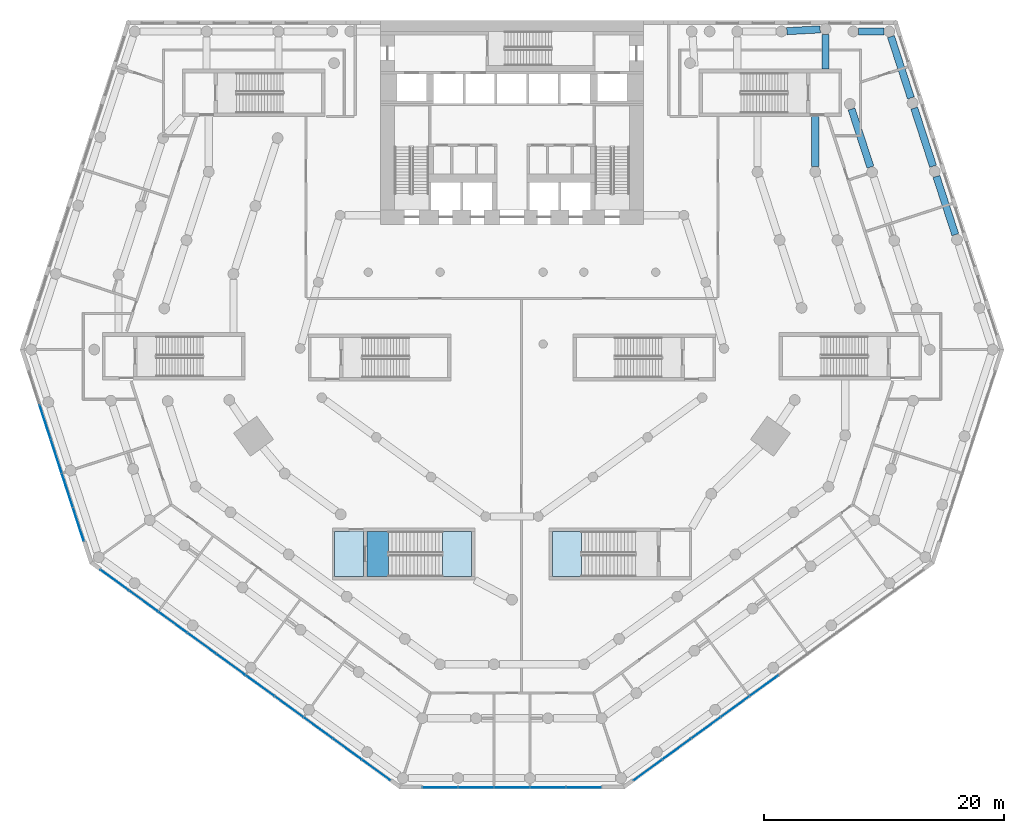
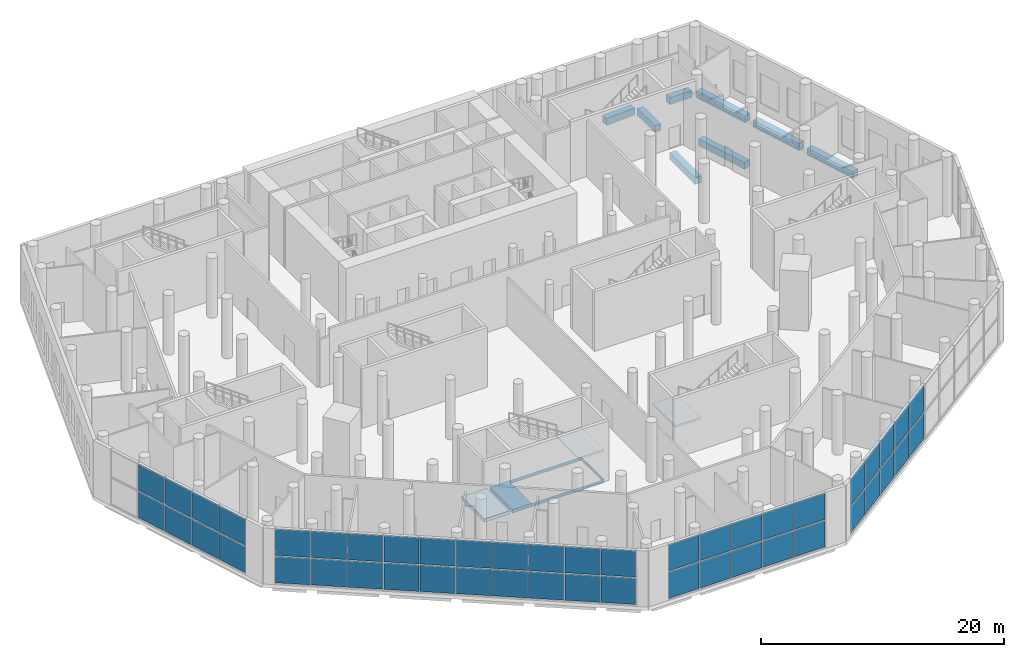
# One storey, part 9 of 23: 48 plates, 8 beams, 4 slabs, 6 elements without a shape of their own.
"""IFC4 building model written with IfcOpenShell, lengths in metres."""

import ifcopenshell
import ifcopenshell.guid

model = None  # the IFC model being written
_history = None  # IfcOwnerHistory: only IFC2X3 demands one
_inside = {}  # id of a spatial element -> (the spatial element, [elements in it])
_under = {}  # id of a project, library or spatial element -> (it, [spatial elements below it])
_declared = {}  # id of a project -> (the project, [libraries it declares])
_typed = {}  # id of a type object -> (the type object, [elements of that type])
_made_of = {}  # id of a material, layer set ... -> (it, [elements and type objects made of it])


def new_model(schema):
    """Start an empty IFC model of exactly this schema.

    Asked for "IFC4X3", IfcOpenShell would pick the latest addendum, in which some entities
    have other attributes; the version numbers below select the first issue.
    IFC2X3 requires an IfcOwnerHistory on every rooted entity: one is made here for all.
    """
    global model, _history
    if schema == "IFC4X3":
        model = ifcopenshell.file(schema_version=(4, 3, 0, 0))
    else:
        model = ifcopenshell.file(schema=schema)
    _inside.clear()
    _under.clear()
    _declared.clear()
    _typed.clear()
    _made_of.clear()
    _history = None
    if model.schema == "IFC2X3":
        org = make("IfcOrganization", Name="unknown")
        user = make(
            "IfcPersonAndOrganization",
            ThePerson=make("IfcPerson", FamilyName="unknown"),
            TheOrganization=org,
        )
        app = make(
            "IfcApplication",
            ApplicationDeveloper=org,
            Version="unknown",
            ApplicationFullName="unknown",
            ApplicationIdentifier="unknown",
        )
        _history = make(
            "IfcOwnerHistory",
            OwningUser=user,
            OwningApplication=app,
            ChangeAction="ADDED",
            CreationDate=0,
        )
    return model


def make(cls, **values):
    """One entity of the class cls with the attributes given. An attribute that is None is left unset."""
    return model.create_entity(
        cls, **{name: value for name, value in values.items() if value is not None}
    )


def rooted(cls, **values):
    """An entity with a GlobalId (a new one), such as an element, a storey or a relation."""
    return make(cls, GlobalId=ifcopenshell.guid.new(), OwnerHistory=_history, **values)


def si_unit(unit_type, name, prefix=None):
    """IfcSIUnit, for example si_unit("LENGTHUNIT", "METRE", prefix="MILLI")."""
    return make("IfcSIUnit", UnitType=unit_type, Prefix=prefix, Name=name)


def assignment(units):
    """IfcUnitAssignment: the units of a project."""
    return None if units is None else make("IfcUnitAssignment", Units=units)


def point(xyz):
    """IfcCartesianPoint."""
    return None if xyz is None else make("IfcCartesianPoint", Coordinates=xyz)


def direction(xyz):
    """IfcDirection."""
    return None if xyz is None else make("IfcDirection", DirectionRatios=xyz)


def frame(location, z_axis=None, x_axis=None):
    """IfcAxis2Placement3D, a coordinate frame: its origin and axes. An axis left out is left unset."""
    return make(
        "IfcAxis2Placement3D",
        Location=point(location),
        Axis=direction(z_axis),
        RefDirection=direction(x_axis),
    )


def frame_2d(location, x_axis=None):
    """IfcAxis2Placement2D, a coordinate frame in the plane: its origin and x axis."""
    return make(
        "IfcAxis2Placement2D", Location=point(location), RefDirection=direction(x_axis)
    )


def origin():
    """The frame at (0, 0, 0) with its axes left unset."""
    return frame((0.0, 0.0, 0.0))


def origin_2d():
    """The frame at (0, 0) in the plane with its x axis left unset."""
    return frame_2d((0.0, 0.0))


def place(relative_to, where):
    """IfcLocalPlacement: puts the frame where relative to a parent placement (None: the world)."""
    return make(
        "IfcLocalPlacement", PlacementRelTo=relative_to, RelativePlacement=where
    )


def context(
    kind, dimensions, precision=None, world=None, true_north=None, identifier=None
):
    """IfcGeometricRepresentationContext, for example the 3D "Model" context."""
    return make(
        "IfcGeometricRepresentationContext",
        ContextIdentifier=identifier,
        ContextType=kind,
        CoordinateSpaceDimension=dimensions,
        Precision=precision,
        WorldCoordinateSystem=world,
        TrueNorth=true_north,
    )


def subcontext(parent, identifier, kind, view, scale=None):
    """IfcGeometricRepresentationSubContext, for example "Body" below "Model"."""
    return make(
        "IfcGeometricRepresentationSubContext",
        ContextIdentifier=identifier,
        ContextType=kind,
        ParentContext=parent,
        TargetScale=scale,
        TargetView=view,
    )


def project(units=None, contexts=None):
    """IfcProject with its units and contexts."""
    return rooted(
        "IfcProject",
        Name="project",
        RepresentationContexts=contexts,
        UnitsInContext=assignment(units),
    )


def spatial(cls, under=None, at=None, **own):
    """A site, building, storey or space (cls), placed at a placement, below another one or the project."""
    s = rooted(cls, ObjectPlacement=at, **own)
    if under is not None:
        _under.setdefault(under.id(), (under, []))[1].append(s)
    return s


def polyline(points):
    """IfcPolyline through the points."""
    return make("IfcPolyline", Points=[point(p) for p in points])


def profile(cls, at=None, kind="AREA", **sizes):
    """A parametric profile (cls). Its sizes go by their IFC names, for example OverallWidth=200.0."""
    return make(cls, ProfileType=kind, Position=at, **sizes)


def rectangle(**sizes):
    """IfcRectangleProfileDef."""
    return profile("IfcRectangleProfileDef", **sizes)


def outline(outer, holes=None, kind="AREA"):
    """IfcArbitraryClosedProfileDef: a profile drawn as a closed curve; with holes, ...WithVoids."""
    if holes is None:
        return make("IfcArbitraryClosedProfileDef", ProfileType=kind, OuterCurve=outer)
    return make(
        "IfcArbitraryProfileDefWithVoids",
        ProfileType=kind,
        OuterCurve=outer,
        InnerCurves=holes,
    )


def extrude(swept, where, along, depth):
    """IfcExtrudedAreaSolid: the profile swept, set in the frame where, extruded along a direction by depth."""
    return make(
        "IfcExtrudedAreaSolid",
        SweptArea=swept,
        Position=where,
        ExtrudedDirection=direction(along),
        Depth=depth,
    )


def shape(context_of_items, identifier, shape_type, items):
    """IfcShapeRepresentation: the items that make up one representation, for example the "Body"."""
    return make(
        "IfcShapeRepresentation",
        ContextOfItems=context_of_items,
        RepresentationIdentifier=identifier,
        RepresentationType=shape_type,
        Items=items,
    )


def material(Name=None, Category=None):
    """IfcMaterial."""
    return make("IfcMaterial", Name=Name, Category=Category)


def layer(
    of_material, thickness, ventilated=None, Name=None, Category=None, Priority=None
):
    """IfcMaterialLayer: one layer of a wall or slab, of a material (None: an air gap)."""
    return make(
        "IfcMaterialLayer",
        Material=of_material,
        LayerThickness=thickness,
        IsVentilated=ventilated,
        Name=Name,
        Category=Category,
        Priority=Priority,
    )


def layer_set(layers, Name=None):
    """IfcMaterialLayerSet."""
    return make("IfcMaterialLayerSet", MaterialLayers=layers, LayerSetName=Name)


def material_profile(
    of_material, cross_section, Name=None, Category=None, Priority=None
):
    """IfcMaterialProfile: a cross section and its material."""
    return make(
        "IfcMaterialProfile",
        Name=Name,
        Material=of_material,
        Profile=cross_section,
        Priority=Priority,
        Category=Category,
    )


def profile_set(profiles, Name=None, composite=None):
    """IfcMaterialProfileSet."""
    return make(
        "IfcMaterialProfileSet",
        Name=Name,
        MaterialProfiles=profiles,
        CompositeProfile=composite,
    )


def made_of(thing, what):
    """Note that an element or type object is made of a material, layer set ...; save() writes the relation."""
    if what is not None:
        _made_of.setdefault(what.id(), (what, []))[1].append(thing)
    return thing


def type_object(cls, material=None, **own):
    """A type object (cls), such as IfcWallType, which elements share."""
    return made_of(rooted(cls, **own), material)


def element(
    cls,
    number,
    at=None,
    inside=None,
    cuts=None,
    type_object=None,
    material=None,
    context=None,
    identifier="Body",
    shape_type=None,
    held_by="IfcProductDefinitionShape",
    body=None,
    shapes=None,
    **own,
):
    """One element of the class cls, such as IfcWall. Its Tag is "e" and its number.

    at: its placement. inside: the storey or other place that contains it. cuts: it is an
    opening in that element (IfcRelVoidsElement). A single representation is given by context,
    identifier, shape_type and body (its items); several are given by shapes. held_by: the class
    of the entity that holds the representations. save() writes the other relations.
    """
    e = rooted(cls, Tag="e%d" % number, ObjectPlacement=at, **own)
    if body is not None:
        shapes = [shape(context, identifier, shape_type, body)]
    if shapes is not None:
        e.Representation = make(held_by, Representations=shapes)
    if inside is not None:
        _inside.setdefault(inside.id(), (inside, []))[1].append(e)
    if cuts is not None:
        rooted(
            "IfcRelVoidsElement", RelatingBuildingElement=cuts, RelatedOpeningElement=e
        )
    if type_object is not None:
        _typed.setdefault(type_object.id(), (type_object, []))[1].append(e)
    return made_of(e, material)


def aggregate(whole, parts):
    """IfcRelAggregates: a whole, such as a stair, and the parts it consists of."""
    return rooted("IfcRelAggregates", RelatingObject=whole, RelatedObjects=parts)


def save(model, path):
    """Write the relations noted so far, then the file.

    IfcRelAggregates (storeys below a building ...), IfcRelContainedInSpatialStructure (elements
    in a storey), IfcRelDefinesByType, IfcRelAssociatesMaterial and IfcRelDeclares: one each for
    every whole, place, type object, material and project.
    """
    for whole, parts in _under.values():
        aggregate(whole, parts)
    for where, things in _inside.values():
        rooted(
            "IfcRelContainedInSpatialStructure",
            RelatedElements=things,
            RelatingStructure=where,
        )
    for kind, things in _typed.values():
        rooted("IfcRelDefinesByType", RelatedObjects=things, RelatingType=kind)
    for what, things in _made_of.values():
        rooted("IfcRelAssociatesMaterial", RelatedObjects=things, RelatingMaterial=what)
    for by, libraries in _declared.values():
        rooted("IfcRelDeclares", RelatingContext=by, RelatedDefinitions=libraries)
    model.write(path)


model = new_model("IFC4")

# Units and contexts
model_context = context("Model", 3, precision=1e-05, world=origin(), true_north=direction((0.0, 1.0)))
body_context = subcontext(model_context, "Body", "Model", "MODEL_VIEW")
ifc_project = project(units=[si_unit("LENGTHUNIT", "METRE"), si_unit("AREAUNIT", "SQUARE_METRE"), si_unit("VOLUMEUNIT", "CUBIC_METRE"), si_unit("PLANEANGLEUNIT", "RADIAN"), si_unit("MASSUNIT", "GRAM", prefix="KILO")], contexts=[model_context])

# Site, building, storey
site_placement = place(None, origin())
site = spatial("IfcSite", under=ifc_project, at=site_placement, CompositionType="ELEMENT")
building_placement = place(site_placement, origin())
building = spatial("IfcBuilding", under=site, at=building_placement, Name="White Candle Pilgrim Tower", CompositionType="ELEMENT")
storey_placement = place(building_placement, frame((0.0, 0.0, 9.0)))
storey = spatial("IfcBuildingStorey", under=building, at=storey_placement, Name="L01", CompositionType="ELEMENT", Elevation=9.0)

# Beams
ifc_material_1 = material(Name="Concrete C50/60", Category="concrete")
ifc_material_profile = material_profile(ifc_material_1, rectangle(XDim=0.60009765625, YDim=0.699951171875, at=origin_2d()), Name="RC-BM 600x700")
ifc_profile_set = profile_set([ifc_material_profile], Name="Concrete C50/60")
beam_type = type_object("IfcBeamType", Name="Spandrel beam RC-BM 600x700 C50/60", PredefinedType="BEAM", material=ifc_profile_set)
beam_1_placement = place(storey_placement, frame((107.013916015625, 70.139892578125, -0.699951171875), z_axis=(-0.309009217467, 0.951059043131, 0.0), x_axis=(-0.951059043131, -0.309009217467, 0.0)))
element("IfcBeam", 1, at=beam_1_placement, inside=storey, type_object=beam_type, Name="L01 spandrel beam A24", PredefinedType="BEAM", context=body_context, shape_type="SweptSolid", body=[
    extrude(rectangle(XDim=0.60009765625, YDim=0.699951171875, at=origin_2d()), origin(), (0.0, 0.0, 1.0), 5.099853515625),
])
beam_2_placement = place(storey_placement, frame((105.159912109375, 75.845703125, -0.699951171875), z_axis=(-0.308995149369, 0.95106361389, 0.0), x_axis=(-0.95106361389, -0.308995149369, 0.0)))
element("IfcBeam", 2, at=beam_2_placement, inside=storey, type_object=beam_type, Name="L01 spandrel beam A25", PredefinedType="BEAM", context=body_context, shape_type="SweptSolid", body=[
    extrude(rectangle(XDim=0.60009765625, YDim=0.699951171875, at=origin_2d()), origin(), (0.0, 0.0, 1.0), 5.10009765625),
])
beam_3_placement = place(storey_placement, frame((103.305908203125, 81.5517578125, -0.699951171875), z_axis=(-0.308871752851, 0.951103695866, 0.0), x_axis=(-0.951103695866, -0.308871752851, 0.0)))
element("IfcBeam", 3, at=beam_3_placement, inside=storey, type_object=beam_type, Name="L01 spandrel beam A26", PredefinedType="BEAM", context=body_context, shape_type="SweptSolid", body=[
    extrude(rectangle(XDim=0.60009765625, YDim=0.699951171875, at=origin_2d()), origin(), (0.0, 0.0, 1.0), 5.383544921875),
])
beam_4_placement = place(storey_placement, frame((99.926025390625, 75.773681640625, -0.699951171875), z_axis=(-0.308995149369, 0.95106361389, 0.0), x_axis=(-0.95106361389, -0.308995149369, 0.0)))
element("IfcBeam", 4, at=beam_4_placement, inside=storey, type_object=beam_type, Name="L01 spandrel beam B21", PredefinedType="BEAM", context=body_context, shape_type="SweptSolid", body=[
    extrude(rectangle(XDim=0.60009765625, YDim=0.699951171875, at=origin_2d()), origin(), (0.0, 0.0, 1.0), 5.10009765625),
])
beam_5_placement = place(storey_placement, frame((96.180908203125, 86.85009765625, -0.699951171875), z_axis=(0.0, -1.0, 0.0), x_axis=(1.0, 0.0, 0.0)))
element("IfcBeam", 5, at=beam_5_placement, inside=storey, type_object=beam_type, Name="L01 spandrel beam B22", PredefinedType="BEAM", context=body_context, shape_type="SweptSolid", body=[
    extrude(rectangle(XDim=0.60009765625, YDim=0.699951171875, at=origin_2d()), origin(), (0.0, 0.0, 1.0), 2.900146484375),
])
beam_6_placement = place(storey_placement, frame((95.322021484375, 75.83203125, -0.699951171875), z_axis=(0.0, 1.0, 0.0), x_axis=(-1.0, 0.0, 0.0)))
element("IfcBeam", 6, at=beam_6_placement, inside=storey, type_object=beam_type, Name="L01 spandrel beam C18", PredefinedType="BEAM", context=body_context, shape_type="SweptSolid", body=[
    extrude(rectangle(XDim=0.60009765625, YDim=0.699951171875, at=origin_2d()), origin(), (0.0, 0.0, 1.0), 4.16796875),
])
beam_7_placement = place(storey_placement, frame((92.94921875, 87.12451171875, -0.699951171875), z_axis=(0.998528329196, 0.05423260821, 0.0), x_axis=(-0.05423260821, 0.998528329196, 0.0)))
element("IfcBeam", 7, at=beam_7_placement, inside=storey, type_object=beam_type, Name="L01 spandrel beam N07", PredefinedType="BEAM", context=body_context, shape_type="SweptSolid", body=[
    extrude(rectangle(XDim=0.60009765625, YDim=0.699951171875, at=origin_2d()), origin(), (0.0, 0.0, 1.0), 2.78662109375),
])
beam_8_placement = place(storey_placement, frame((98.949951171875, 87.10009765625, -0.699951171875), z_axis=(1.0, 0.0, 0.0), x_axis=(0.0, 1.0, 0.0)))
element("IfcBeam", 8, at=beam_8_placement, inside=storey, type_object=beam_type, Name="L01 spandrel beam N08", PredefinedType="BEAM", context=body_context, shape_type="SweptSolid", body=[
    extrude(rectangle(XDim=0.60009765625, YDim=0.699951171875, at=origin_2d()), origin(), (0.0, 0.0, 1.0), 2.10400390625),
])

# Curtain wall, plates
ifc_material_2 = material(Name="Aluminium and glass", Category="aluminium")
curtain_wall_type = type_object("IfcCurtainWallType", Name="Curtain wall CW1 hall glazing", PredefinedType="NOTDEFINED", material=ifc_material_2)
curtain_wall_1_placement = place(storey_placement, origin())
curtain_wall_1 = element("IfcCurtainWall", 9, at=curtain_wall_1_placement, inside=storey, type_object=curtain_wall_type, Name="Curtain wall CW1 L01 W chamfer", PredefinedType="NOTDEFINED")
ifc_material_3 = material(Name="Glass, triple glazed", Category="glass")
ifc_layer_1 = layer(ifc_material_3, 0.0400390625)
ifc_layer_set_1 = layer_set([ifc_layer_1], Name="CW1 glazing panel 40")
plate_type = type_object("IfcPlateType", Name="CW1 glazing panel 40", PredefinedType="CURTAIN_PANEL", material=ifc_layer_set_1)
plate_1_placement = place(storey_placement, frame((31.017333984375, 54.48828125, 0.119873046875), z_axis=(0.0, 0.0, 1.0), x_axis=(0.309016994392, -0.95105651629, 0.0)))
plate_1 = element("IfcPlate", 10, at=plate_1_placement, type_object=plate_type, Name="CW1 panel 2.1", PredefinedType="CURTAIN_PANEL", context=body_context, shape_type="SweptSolid", body=[
    extrude(rectangle(XDim=2.93994140625, YDim=0.0400390625, at=origin_2d()), origin(), (0.0, 0.0, 1.0), 2.64501953125),
])
plate_2_placement = place(storey_placement, frame((31.017333984375, 54.48828125, 2.885009765625), z_axis=(0.0, 0.0, 1.0), x_axis=(0.309016994392, -0.95105651629, 0.0)))
plate_2 = element("IfcPlate", 11, at=plate_2_placement, type_object=plate_type, Name="CW1 panel 2.2", PredefinedType="CURTAIN_PANEL", context=body_context, shape_type="SweptSolid", body=[
    extrude(rectangle(XDim=2.93994140625, YDim=0.0400390625, at=origin_2d()), origin(), (0.0, 0.0, 1.0), 2.64501953125),
])
plate_3_placement = place(storey_placement, frame((31.944580078125, 51.635009765625, 0.119873046875), z_axis=(0.0, 0.0, 1.0), x_axis=(0.309016994392, -0.95105651629, 0.0)))
plate_3 = element("IfcPlate", 12, at=plate_3_placement, type_object=plate_type, Name="CW1 panel 3.1", PredefinedType="CURTAIN_PANEL", context=body_context, shape_type="SweptSolid", body=[
    extrude(rectangle(XDim=2.93994140625, YDim=0.0400390625, at=origin_2d()), origin(), (0.0, 0.0, 1.0), 2.64501953125),
])
plate_4_placement = place(storey_placement, frame((31.944580078125, 51.635009765625, 2.885009765625), z_axis=(0.0, 0.0, 1.0), x_axis=(0.309016994392, -0.95105651629, 0.0)))
plate_4 = element("IfcPlate", 13, at=plate_4_placement, type_object=plate_type, Name="CW1 panel 3.2", PredefinedType="CURTAIN_PANEL", context=body_context, shape_type="SweptSolid", body=[
    extrude(rectangle(XDim=2.93994140625, YDim=0.0400390625, at=origin_2d()), origin(), (0.0, 0.0, 1.0), 2.64501953125),
])
plate_5_placement = place(storey_placement, frame((32.87158203125, 48.78173828125, 0.119873046875), z_axis=(0.0, 0.0, 1.0), x_axis=(0.309016994392, -0.95105651629, 0.0)))
plate_5 = element("IfcPlate", 14, at=plate_5_placement, type_object=plate_type, Name="CW1 panel 4.1", PredefinedType="CURTAIN_PANEL", context=body_context, shape_type="SweptSolid", body=[
    extrude(rectangle(XDim=2.93994140625, YDim=0.0400390625, at=origin_2d()), origin(), (0.0, 0.0, 1.0), 2.64501953125),
])
plate_6_placement = place(storey_placement, frame((32.87158203125, 48.78173828125, 2.885009765625), z_axis=(0.0, 0.0, 1.0), x_axis=(0.309016994392, -0.95105651629, 0.0)))
plate_6 = element("IfcPlate", 15, at=plate_6_placement, type_object=plate_type, Name="CW1 panel 4.2", PredefinedType="CURTAIN_PANEL", context=body_context, shape_type="SweptSolid", body=[
    extrude(rectangle(XDim=2.93994140625, YDim=0.0400390625, at=origin_2d()), origin(), (0.0, 0.0, 1.0), 2.64501953125),
])
plate_7_placement = place(storey_placement, frame((33.7939453125, 45.94287109375, 0.119873046875), z_axis=(0.0, 0.0, 1.0), x_axis=(0.309016994392, -0.95105651629, 0.0)))
plate_7 = element("IfcPlate", 16, at=plate_7_placement, type_object=plate_type, Name="CW1 panel 5.1", PredefinedType="CURTAIN_PANEL", context=body_context, shape_type="SweptSolid", body=[
    extrude(rectangle(XDim=2.909912109375, YDim=0.0400390625, at=origin_2d()), origin(), (0.0, 0.0, 1.0), 2.64501953125),
])
plate_8_placement = place(storey_placement, frame((33.7939453125, 45.94287109375, 2.885009765625), z_axis=(0.0, 0.0, 1.0), x_axis=(0.309016994392, -0.95105651629, 0.0)))
plate_8 = element("IfcPlate", 17, at=plate_8_placement, type_object=plate_type, Name="CW1 panel 5.2", PredefinedType="CURTAIN_PANEL", context=body_context, shape_type="SweptSolid", body=[
    extrude(rectangle(XDim=2.909912109375, YDim=0.0400390625, at=origin_2d()), origin(), (0.0, 0.0, 1.0), 2.64501953125),
])
aggregate(curtain_wall_1, [plate_1, plate_2, plate_3, plate_4, plate_5, plate_6, plate_7, plate_8])

curtain_wall_2_placement = place(storey_placement, origin())
curtain_wall_2 = element("IfcCurtainWall", 18, at=curtain_wall_2_placement, inside=storey, type_object=curtain_wall_type, Name="Curtain wall CW1 L01 SW", PredefinedType="NOTDEFINED")
plate_9_placement = place(storey_placement, frame((36.828125, 41.28466796875, 0.119873046875), z_axis=(0.0, 0.0, 1.0), x_axis=(0.809016991061, -0.587785256853, 0.0)))
plate_9 = element("IfcPlate", 19, at=plate_9_placement, type_object=plate_type, Name="CW1 panel 1.1", PredefinedType="CURTAIN_PANEL", context=body_context, shape_type="SweptSolid", body=[
    extrude(rectangle(XDim=2.909912109375, YDim=0.0400390625, at=origin_2d()), origin(), (0.0, 0.0, 1.0), 2.64501953125),
])
plate_10_placement = place(storey_placement, frame((36.828125, 41.28466796875, 2.885009765625), z_axis=(0.0, 0.0, 1.0), x_axis=(0.809016991061, -0.587785256853, 0.0)))
plate_10 = element("IfcPlate", 20, at=plate_10_placement, type_object=plate_type, Name="CW1 panel 1.2", PredefinedType="CURTAIN_PANEL", context=body_context, shape_type="SweptSolid", body=[
    extrude(rectangle(XDim=2.909912109375, YDim=0.0400390625, at=origin_2d()), origin(), (0.0, 0.0, 1.0), 2.64501953125),
])
plate_11_placement = place(storey_placement, frame((39.242919921875, 39.5302734375, 0.119873046875), z_axis=(0.0, 0.0, 1.0), x_axis=(0.809016991061, -0.587785256853, 0.0)))
plate_11 = element("IfcPlate", 21, at=plate_11_placement, type_object=plate_type, Name="CW1 panel 2.1", PredefinedType="CURTAIN_PANEL", context=body_context, shape_type="SweptSolid", body=[
    extrude(rectangle(XDim=2.93994140625, YDim=0.0400390625, at=origin_2d()), origin(), (0.0, 0.0, 1.0), 2.64501953125),
])
plate_12_placement = place(storey_placement, frame((39.242919921875, 39.5302734375, 2.885009765625), z_axis=(0.0, 0.0, 1.0), x_axis=(0.809016991061, -0.587785256853, 0.0)))
plate_12 = element("IfcPlate", 22, at=plate_12_placement, type_object=plate_type, Name="CW1 panel 2.2", PredefinedType="CURTAIN_PANEL", context=body_context, shape_type="SweptSolid", body=[
    extrude(rectangle(XDim=2.93994140625, YDim=0.0400390625, at=origin_2d()), origin(), (0.0, 0.0, 1.0), 2.64501953125),
])
plate_13_placement = place(storey_placement, frame((41.669921875, 37.766845703125, 0.119873046875), z_axis=(0.0, 0.0, 1.0), x_axis=(0.809016991061, -0.587785256853, 0.0)))
plate_13 = element("IfcPlate", 23, at=plate_13_placement, type_object=plate_type, Name="CW1 panel 3.1", PredefinedType="CURTAIN_PANEL", context=body_context, shape_type="SweptSolid", body=[
    extrude(rectangle(XDim=2.93994140625, YDim=0.0400390625, at=origin_2d()), origin(), (0.0, 0.0, 1.0), 2.64501953125),
])
plate_14_placement = place(storey_placement, frame((41.669921875, 37.766845703125, 2.885009765625), z_axis=(0.0, 0.0, 1.0), x_axis=(0.809016991061, -0.587785256853, 0.0)))
plate_14 = element("IfcPlate", 24, at=plate_14_placement, type_object=plate_type, Name="CW1 panel 3.2", PredefinedType="CURTAIN_PANEL", context=body_context, shape_type="SweptSolid", body=[
    extrude(rectangle(XDim=2.93994140625, YDim=0.0400390625, at=origin_2d()), origin(), (0.0, 0.0, 1.0), 2.64501953125),
])
plate_15_placement = place(storey_placement, frame((44.09716796875, 36.00341796875, 0.119873046875), z_axis=(0.0, 0.0, 1.0), x_axis=(0.809016991061, -0.587785256853, 0.0)))
plate_15 = element("IfcPlate", 25, at=plate_15_placement, type_object=plate_type, Name="CW1 panel 4.1", PredefinedType="CURTAIN_PANEL", context=body_context, shape_type="SweptSolid", body=[
    extrude(rectangle(XDim=2.93994140625, YDim=0.0400390625, at=origin_2d()), origin(), (0.0, 0.0, 1.0), 2.64501953125),
])
plate_16_placement = place(storey_placement, frame((44.09716796875, 36.00341796875, 2.885009765625), z_axis=(0.0, 0.0, 1.0), x_axis=(0.809016991061, -0.587785256853, 0.0)))
plate_16 = element("IfcPlate", 26, at=plate_16_placement, type_object=plate_type, Name="CW1 panel 4.2", PredefinedType="CURTAIN_PANEL", context=body_context, shape_type="SweptSolid", body=[
    extrude(rectangle(XDim=2.93994140625, YDim=0.0400390625, at=origin_2d()), origin(), (0.0, 0.0, 1.0), 2.64501953125),
])
plate_17_placement = place(storey_placement, frame((46.524169921875, 34.240234375, 0.119873046875), z_axis=(0.0, 0.0, 1.0), x_axis=(0.809016991061, -0.587785256853, 0.0)))
plate_17 = element("IfcPlate", 27, at=plate_17_placement, type_object=plate_type, Name="CW1 panel 5.1", PredefinedType="CURTAIN_PANEL", context=body_context, shape_type="SweptSolid", body=[
    extrude(rectangle(XDim=2.93994140625, YDim=0.0400390625, at=origin_2d()), origin(), (0.0, 0.0, 1.0), 2.64501953125),
])
plate_18_placement = place(storey_placement, frame((46.524169921875, 34.240234375, 2.885009765625), z_axis=(0.0, 0.0, 1.0), x_axis=(0.809016991061, -0.587785256853, 0.0)))
plate_18 = element("IfcPlate", 28, at=plate_18_placement, type_object=plate_type, Name="CW1 panel 5.2", PredefinedType="CURTAIN_PANEL", context=body_context, shape_type="SweptSolid", body=[
    extrude(rectangle(XDim=2.93994140625, YDim=0.0400390625, at=origin_2d()), origin(), (0.0, 0.0, 1.0), 2.64501953125),
])
plate_19_placement = place(storey_placement, frame((48.951171875, 32.476806640625, 0.119873046875), z_axis=(0.0, 0.0, 1.0), x_axis=(0.809016991061, -0.587785256853, 0.0)))
plate_19 = element("IfcPlate", 29, at=plate_19_placement, type_object=plate_type, Name="CW1 panel 6.1", PredefinedType="CURTAIN_PANEL", context=body_context, shape_type="SweptSolid", body=[
    extrude(rectangle(XDim=2.93994140625, YDim=0.0400390625, at=origin_2d()), origin(), (0.0, 0.0, 1.0), 2.64501953125),
])
plate_20_placement = place(storey_placement, frame((48.951171875, 32.476806640625, 2.885009765625), z_axis=(0.0, 0.0, 1.0), x_axis=(0.809016991061, -0.587785256853, 0.0)))
plate_20 = element("IfcPlate", 30, at=plate_20_placement, type_object=plate_type, Name="CW1 panel 6.2", PredefinedType="CURTAIN_PANEL", context=body_context, shape_type="SweptSolid", body=[
    extrude(rectangle(XDim=2.93994140625, YDim=0.0400390625, at=origin_2d()), origin(), (0.0, 0.0, 1.0), 2.64501953125),
])
plate_21_placement = place(storey_placement, frame((51.378173828125, 30.71337890625, 0.119873046875), z_axis=(0.0, 0.0, 1.0), x_axis=(0.809016991061, -0.587785256853, 0.0)))
plate_21 = element("IfcPlate", 31, at=plate_21_placement, type_object=plate_type, Name="CW1 panel 7.1", PredefinedType="CURTAIN_PANEL", context=body_context, shape_type="SweptSolid", body=[
    extrude(rectangle(XDim=2.93994140625, YDim=0.0400390625, at=origin_2d()), origin(), (0.0, 0.0, 1.0), 2.64501953125),
])
plate_22_placement = place(storey_placement, frame((51.378173828125, 30.71337890625, 2.885009765625), z_axis=(0.0, 0.0, 1.0), x_axis=(0.809016991061, -0.587785256853, 0.0)))
plate_22 = element("IfcPlate", 32, at=plate_22_placement, type_object=plate_type, Name="CW1 panel 7.2", PredefinedType="CURTAIN_PANEL", context=body_context, shape_type="SweptSolid", body=[
    extrude(rectangle(XDim=2.93994140625, YDim=0.0400390625, at=origin_2d()), origin(), (0.0, 0.0, 1.0), 2.64501953125),
])
plate_23_placement = place(storey_placement, frame((53.80517578125, 28.9501953125, 0.119873046875), z_axis=(0.0, 0.0, 1.0), x_axis=(0.809016991061, -0.587785256853, 0.0)))
plate_23 = element("IfcPlate", 33, at=plate_23_placement, type_object=plate_type, Name="CW1 panel 8.1", PredefinedType="CURTAIN_PANEL", context=body_context, shape_type="SweptSolid", body=[
    extrude(rectangle(XDim=2.93994140625, YDim=0.0400390625, at=origin_2d()), origin(), (0.0, 0.0, 1.0), 2.64501953125),
])
plate_24_placement = place(storey_placement, frame((53.80517578125, 28.9501953125, 2.885009765625), z_axis=(0.0, 0.0, 1.0), x_axis=(0.809016991061, -0.587785256853, 0.0)))
plate_24 = element("IfcPlate", 34, at=plate_24_placement, type_object=plate_type, Name="CW1 panel 8.2", PredefinedType="CURTAIN_PANEL", context=body_context, shape_type="SweptSolid", body=[
    extrude(rectangle(XDim=2.93994140625, YDim=0.0400390625, at=origin_2d()), origin(), (0.0, 0.0, 1.0), 2.64501953125),
])
plate_25_placement = place(storey_placement, frame((56.232421875, 27.186767578125, 0.119873046875), z_axis=(0.0, 0.0, 1.0), x_axis=(0.809016991061, -0.587785256853, 0.0)))
plate_25 = element("IfcPlate", 35, at=plate_25_placement, type_object=plate_type, Name="CW1 panel 9.1", PredefinedType="CURTAIN_PANEL", context=body_context, shape_type="SweptSolid", body=[
    extrude(rectangle(XDim=2.93994140625, YDim=0.0400390625, at=origin_2d()), origin(), (0.0, 0.0, 1.0), 2.64501953125),
])
plate_26_placement = place(storey_placement, frame((56.232421875, 27.186767578125, 2.885009765625), z_axis=(0.0, 0.0, 1.0), x_axis=(0.809016991061, -0.587785256853, 0.0)))
plate_26 = element("IfcPlate", 36, at=plate_26_placement, type_object=plate_type, Name="CW1 panel 9.2", PredefinedType="CURTAIN_PANEL", context=body_context, shape_type="SweptSolid", body=[
    extrude(rectangle(XDim=2.93994140625, YDim=0.0400390625, at=origin_2d()), origin(), (0.0, 0.0, 1.0), 2.64501953125),
])
plate_27_placement = place(storey_placement, frame((58.647216796875, 25.43212890625, 0.119873046875), z_axis=(0.0, 0.0, 1.0), x_axis=(0.809016991061, -0.587785256853, 0.0)))
plate_27 = element("IfcPlate", 37, at=plate_27_placement, type_object=plate_type, Name="CW1 panel 10.1", PredefinedType="CURTAIN_PANEL", context=body_context, shape_type="SweptSolid", body=[
    extrude(rectangle(XDim=2.909912109375, YDim=0.0400390625, at=origin_2d()), origin(), (0.0, 0.0, 1.0), 2.64501953125),
])
plate_28_placement = place(storey_placement, frame((58.647216796875, 25.43212890625, 2.885009765625), z_axis=(0.0, 0.0, 1.0), x_axis=(0.809016991061, -0.587785256853, 0.0)))
plate_28 = element("IfcPlate", 38, at=plate_28_placement, type_object=plate_type, Name="CW1 panel 10.2", PredefinedType="CURTAIN_PANEL", context=body_context, shape_type="SweptSolid", body=[
    extrude(rectangle(XDim=2.909912109375, YDim=0.0400390625, at=origin_2d()), origin(), (0.0, 0.0, 1.0), 2.64501953125),
])
aggregate(curtain_wall_2, [plate_9, plate_10, plate_11, plate_12, plate_13, plate_14, plate_15, plate_16, plate_17, plate_18, plate_19, plate_20, plate_21, plate_22, plate_23, plate_24, plate_25, plate_26, plate_27, plate_28])

curtain_wall_3_placement = place(storey_placement, origin())
curtain_wall_3 = element("IfcCurtainWall", 39, at=curtain_wall_3_placement, inside=storey, type_object=curtain_wall_type, Name="Curtain wall CW1 L01 S chamfer", PredefinedType="NOTDEFINED")
plate_29_placement = place(storey_placement, frame((64.014892578125, 23.986083984375, 0.119873046875), z_axis=(0.0, 0.0, 1.0), x_axis=(1.0, 0.0, 0.0)))
plate_29 = element("IfcPlate", 40, at=plate_29_placement, type_object=plate_type, Name="CW1 panel 1.1", PredefinedType="CURTAIN_PANEL", context=body_context, shape_type="SweptSolid", body=[
    extrude(rectangle(XDim=2.909912109375, YDim=0.0400390625, at=origin_2d()), origin(), (0.0, 0.0, 1.0), 2.64501953125),
])
plate_30_placement = place(storey_placement, frame((64.014892578125, 23.986083984375, 2.885009765625), z_axis=(0.0, 0.0, 1.0), x_axis=(1.0, 0.0, 0.0)))
plate_30 = element("IfcPlate", 41, at=plate_30_placement, type_object=plate_type, Name="CW1 panel 1.2", PredefinedType="CURTAIN_PANEL", context=body_context, shape_type="SweptSolid", body=[
    extrude(rectangle(XDim=2.909912109375, YDim=0.0400390625, at=origin_2d()), origin(), (0.0, 0.0, 1.0), 2.64501953125),
])
plate_31_placement = place(storey_placement, frame((67.0, 23.986083984375, 0.119873046875), z_axis=(0.0, 0.0, 1.0), x_axis=(1.0, 0.0, 0.0)))
plate_31 = element("IfcPlate", 42, at=plate_31_placement, type_object=plate_type, Name="CW1 panel 2.1", PredefinedType="CURTAIN_PANEL", context=body_context, shape_type="SweptSolid", body=[
    extrude(rectangle(XDim=2.93994140625, YDim=0.0400390625, at=origin_2d()), origin(), (0.0, 0.0, 1.0), 2.64501953125),
])
plate_32_placement = place(storey_placement, frame((67.0, 23.986083984375, 2.885009765625), z_axis=(0.0, 0.0, 1.0), x_axis=(1.0, 0.0, 0.0)))
plate_32 = element("IfcPlate", 43, at=plate_32_placement, type_object=plate_type, Name="CW1 panel 2.2", PredefinedType="CURTAIN_PANEL", context=body_context, shape_type="SweptSolid", body=[
    extrude(rectangle(XDim=2.93994140625, YDim=0.0400390625, at=origin_2d()), origin(), (0.0, 0.0, 1.0), 2.64501953125),
])
plate_33_placement = place(storey_placement, frame((70.0, 23.986083984375, 0.119873046875), z_axis=(0.0, 0.0, 1.0), x_axis=(1.0, 0.0, 0.0)))
plate_33 = element("IfcPlate", 44, at=plate_33_placement, type_object=plate_type, Name="CW1 panel 3.1", PredefinedType="CURTAIN_PANEL", context=body_context, shape_type="SweptSolid", body=[
    extrude(rectangle(XDim=2.93994140625, YDim=0.0400390625, at=origin_2d()), origin(), (0.0, 0.0, 1.0), 2.64501953125),
])
plate_34_placement = place(storey_placement, frame((70.0, 23.986083984375, 2.885009765625), z_axis=(0.0, 0.0, 1.0), x_axis=(1.0, 0.0, 0.0)))
plate_34 = element("IfcPlate", 45, at=plate_34_placement, type_object=plate_type, Name="CW1 panel 3.2", PredefinedType="CURTAIN_PANEL", context=body_context, shape_type="SweptSolid", body=[
    extrude(rectangle(XDim=2.93994140625, YDim=0.0400390625, at=origin_2d()), origin(), (0.0, 0.0, 1.0), 2.64501953125),
])
plate_35_placement = place(storey_placement, frame((73.0, 23.986083984375, 0.119873046875), z_axis=(0.0, 0.0, 1.0), x_axis=(1.0, 0.0, 0.0)))
plate_35 = element("IfcPlate", 46, at=plate_35_placement, type_object=plate_type, Name="CW1 panel 4.1", PredefinedType="CURTAIN_PANEL", context=body_context, shape_type="SweptSolid", body=[
    extrude(rectangle(XDim=2.93994140625, YDim=0.0400390625, at=origin_2d()), origin(), (0.0, 0.0, 1.0), 2.64501953125),
])
plate_36_placement = place(storey_placement, frame((73.0, 23.986083984375, 2.885009765625), z_axis=(0.0, 0.0, 1.0), x_axis=(1.0, 0.0, 0.0)))
plate_36 = element("IfcPlate", 47, at=plate_36_placement, type_object=plate_type, Name="CW1 panel 4.2", PredefinedType="CURTAIN_PANEL", context=body_context, shape_type="SweptSolid", body=[
    extrude(rectangle(XDim=2.93994140625, YDim=0.0400390625, at=origin_2d()), origin(), (0.0, 0.0, 1.0), 2.64501953125),
])
plate_37_placement = place(storey_placement, frame((75.985107421875, 23.986083984375, 0.119873046875), z_axis=(0.0, 0.0, 1.0), x_axis=(1.0, 0.0, 0.0)))
plate_37 = element("IfcPlate", 48, at=plate_37_placement, type_object=plate_type, Name="CW1 panel 5.1", PredefinedType="CURTAIN_PANEL", context=body_context, shape_type="SweptSolid", body=[
    extrude(rectangle(XDim=2.909912109375, YDim=0.0400390625, at=origin_2d()), origin(), (0.0, 0.0, 1.0), 2.64501953125),
])
plate_38_placement = place(storey_placement, frame((75.985107421875, 23.986083984375, 2.885009765625), z_axis=(0.0, 0.0, 1.0), x_axis=(1.0, 0.0, 0.0)))
plate_38 = element("IfcPlate", 49, at=plate_38_placement, type_object=plate_type, Name="CW1 panel 5.2", PredefinedType="CURTAIN_PANEL", context=body_context, shape_type="SweptSolid", body=[
    extrude(rectangle(XDim=2.909912109375, YDim=0.0400390625, at=origin_2d()), origin(), (0.0, 0.0, 1.0), 2.64501953125),
])
aggregate(curtain_wall_3, [plate_29, plate_30, plate_31, plate_32, plate_33, plate_34, plate_35, plate_36, plate_37, plate_38])

curtain_wall_4_placement = place(storey_placement, origin())
curtain_wall_4 = element("IfcCurtainWall", 50, at=curtain_wall_4_placement, inside=storey, type_object=curtain_wall_type, Name="Curtain wall CW1 L01 SE", PredefinedType="NOTDEFINED")
plate_39_placement = place(storey_placement, frame((81.352783203125, 25.43212890625, 0.119873046875), z_axis=(0.0, 0.0, 1.0), x_axis=(0.809016991061, 0.587785256853, 0.0)))
plate_39 = element("IfcPlate", 51, at=plate_39_placement, type_object=plate_type, Name="CW1 panel 1.1", PredefinedType="CURTAIN_PANEL", context=body_context, shape_type="SweptSolid", body=[
    extrude(rectangle(XDim=2.909912109375, YDim=0.0400390625, at=origin_2d()), origin(), (0.0, 0.0, 1.0), 2.64501953125),
])
plate_40_placement = place(storey_placement, frame((81.352783203125, 25.43212890625, 2.885009765625), z_axis=(0.0, 0.0, 1.0), x_axis=(0.809016991061, 0.587785256853, 0.0)))
plate_40 = element("IfcPlate", 52, at=plate_40_placement, type_object=plate_type, Name="CW1 panel 1.2", PredefinedType="CURTAIN_PANEL", context=body_context, shape_type="SweptSolid", body=[
    extrude(rectangle(XDim=2.909912109375, YDim=0.0400390625, at=origin_2d()), origin(), (0.0, 0.0, 1.0), 2.64501953125),
])
plate_41_placement = place(storey_placement, frame((83.767578125, 27.186767578125, 0.119873046875), z_axis=(0.0, 0.0, 1.0), x_axis=(0.809016991061, 0.587785256853, 0.0)))
plate_41 = element("IfcPlate", 53, at=plate_41_placement, type_object=plate_type, Name="CW1 panel 2.1", PredefinedType="CURTAIN_PANEL", context=body_context, shape_type="SweptSolid", body=[
    extrude(rectangle(XDim=2.93994140625, YDim=0.0400390625, at=origin_2d()), origin(), (0.0, 0.0, 1.0), 2.64501953125),
])
plate_42_placement = place(storey_placement, frame((83.767578125, 27.186767578125, 2.885009765625), z_axis=(0.0, 0.0, 1.0), x_axis=(0.809016991061, 0.587785256853, 0.0)))
plate_42 = element("IfcPlate", 54, at=plate_42_placement, type_object=plate_type, Name="CW1 panel 2.2", PredefinedType="CURTAIN_PANEL", context=body_context, shape_type="SweptSolid", body=[
    extrude(rectangle(XDim=2.93994140625, YDim=0.0400390625, at=origin_2d()), origin(), (0.0, 0.0, 1.0), 2.64501953125),
])
plate_43_placement = place(storey_placement, frame((86.19482421875, 28.9501953125, 0.119873046875), z_axis=(0.0, 0.0, 1.0), x_axis=(0.809016991061, 0.587785256853, 0.0)))
plate_43 = element("IfcPlate", 55, at=plate_43_placement, type_object=plate_type, Name="CW1 panel 3.1", PredefinedType="CURTAIN_PANEL", context=body_context, shape_type="SweptSolid", body=[
    extrude(rectangle(XDim=2.93994140625, YDim=0.0400390625, at=origin_2d()), origin(), (0.0, 0.0, 1.0), 2.64501953125),
])
plate_44_placement = place(storey_placement, frame((86.19482421875, 28.9501953125, 2.885009765625), z_axis=(0.0, 0.0, 1.0), x_axis=(0.809016991061, 0.587785256853, 0.0)))
plate_44 = element("IfcPlate", 56, at=plate_44_placement, type_object=plate_type, Name="CW1 panel 3.2", PredefinedType="CURTAIN_PANEL", context=body_context, shape_type="SweptSolid", body=[
    extrude(rectangle(XDim=2.93994140625, YDim=0.0400390625, at=origin_2d()), origin(), (0.0, 0.0, 1.0), 2.64501953125),
])
plate_45_placement = place(storey_placement, frame((88.621826171875, 30.71337890625, 0.119873046875), z_axis=(0.0, 0.0, 1.0), x_axis=(0.809016991061, 0.587785256853, 0.0)))
plate_45 = element("IfcPlate", 57, at=plate_45_placement, type_object=plate_type, Name="CW1 panel 4.1", PredefinedType="CURTAIN_PANEL", context=body_context, shape_type="SweptSolid", body=[
    extrude(rectangle(XDim=2.93994140625, YDim=0.0400390625, at=origin_2d()), origin(), (0.0, 0.0, 1.0), 2.64501953125),
])
plate_46_placement = place(storey_placement, frame((88.621826171875, 30.71337890625, 2.885009765625), z_axis=(0.0, 0.0, 1.0), x_axis=(0.809016991061, 0.587785256853, 0.0)))
plate_46 = element("IfcPlate", 58, at=plate_46_placement, type_object=plate_type, Name="CW1 panel 4.2", PredefinedType="CURTAIN_PANEL", context=body_context, shape_type="SweptSolid", body=[
    extrude(rectangle(XDim=2.93994140625, YDim=0.0400390625, at=origin_2d()), origin(), (0.0, 0.0, 1.0), 2.64501953125),
])
plate_47_placement = place(storey_placement, frame((91.048828125, 32.476806640625, 0.119873046875), z_axis=(0.0, 0.0, 1.0), x_axis=(0.809016991061, 0.587785256853, 0.0)))
plate_47 = element("IfcPlate", 59, at=plate_47_placement, type_object=plate_type, Name="CW1 panel 5.1", PredefinedType="CURTAIN_PANEL", context=body_context, shape_type="SweptSolid", body=[
    extrude(rectangle(XDim=2.93994140625, YDim=0.0400390625, at=origin_2d()), origin(), (0.0, 0.0, 1.0), 2.64501953125),
])
plate_48_placement = place(storey_placement, frame((91.048828125, 32.476806640625, 2.885009765625), z_axis=(0.0, 0.0, 1.0), x_axis=(0.809016991061, 0.587785256853, 0.0)))
plate_48 = element("IfcPlate", 60, at=plate_48_placement, type_object=plate_type, Name="CW1 panel 5.2", PredefinedType="CURTAIN_PANEL", context=body_context, shape_type="SweptSolid", body=[
    extrude(rectangle(XDim=2.93994140625, YDim=0.0400390625, at=origin_2d()), origin(), (0.0, 0.0, 1.0), 2.64501953125),
])
aggregate(curtain_wall_4, [plate_39, plate_40, plate_41, plate_42, plate_43, plate_44, plate_45, plate_46, plate_47, plate_48])

# Slabs
ifc_material_4 = material(Name="Concrete C40/50", Category="concrete")
ifc_layer_2 = layer(ifc_material_4, 0.35009765625)
ifc_layer_set_2 = layer_set([ifc_layer_2], Name="Core floor slab 350 mm Concrete C40/50")
slab_type_1 = type_object("IfcSlabType", Name="Core floor slab 350 mm Concrete C40/50", PredefinedType="FLOOR", material=ifc_layer_set_2)
slab_1_placement = place(storey_placement, frame((0.0, 0.0, -0.35009765625)))
element("IfcSlab", 61, at=slab_1_placement, inside=storey, type_object=slab_type_1, Name="CF-L01-01", PredefinedType="FLOOR", context=body_context, shape_type="SweptSolid", body=[
    extrude(outline(polyline([(55.199951171875, 45.35009765625), (57.60009765625, 45.35009765625), (57.60009765625, 41.60009765625), (55.199951171875, 41.60009765625), (55.199951171875, 45.35009765625)])), origin(), (0.0, 0.0, 1.0), 0.35009765625),
])
slab_2_placement = place(storey_placement, frame((0.0, 0.0, -0.35009765625)))
element("IfcSlab", 62, at=slab_2_placement, inside=storey, type_object=slab_type_1, Name="CF-L01-02", PredefinedType="FLOOR", context=body_context, shape_type="SweptSolid", body=[
    extrude(outline(polyline([(57.89990234375, 45.35009765625), (66.60009765625, 45.35009765625), (66.60009765625, 41.60009765625), (57.89990234375, 41.60009765625), (57.89990234375, 45.35009765625)]), holes=[polyline([(66.597900390625, 45.347900390625), (59.701904296875, 45.347900390625), (59.701904296875, 41.60205078125), (66.597900390625, 41.60205078125), (66.597900390625, 45.347900390625)])]), origin(), (0.0, 0.0, 1.0), 0.35009765625),
])

# Stair, slab
stair_type_1 = type_object("IfcStairType", Name="Exit stair 6 flight width 1800 mm", PredefinedType="HALF_TURN_STAIR", material=ifc_material_4)
stair_1_placement = place(storey_placement, origin())
stair_1 = element("IfcStair", 63, at=stair_1_placement, inside=storey, type_object=stair_type_1, Name="L01 stair 6", PredefinedType="NOTDEFINED")
ifc_layer_3 = layer(ifc_material_4, 0.199951171875)
ifc_layer_set_3 = layer_set([ifc_layer_3], Name="Stair landing Concrete C40/50")
slab_type_2 = type_object("IfcSlabType", Name="Stair landing Concrete C40/50", PredefinedType="LANDING", material=ifc_layer_set_3)
slab_3_placement = place(storey_placement, frame((0.0, 0.0, 2.800048828125)))
slab_3 = element("IfcSlab", 64, at=slab_3_placement, type_object=slab_type_2, Name="ST6 landing 1", PredefinedType="LANDING", context=body_context, shape_type="SweptSolid", body=[
    extrude(outline(polyline([(64.197998046875, 41.597900390625), (64.197998046875, 45.35205078125), (66.60205078125, 45.35205078125), (66.60205078125, 41.597900390625), (64.197998046875, 41.597900390625)])), origin(), (0.0, 0.0, 1.0), 0.199951171875),
])
aggregate(stair_1, [slab_3])

stair_type_2 = type_object("IfcStairType", Name="Exit stair 7 flight width 1800 mm", PredefinedType="HALF_TURN_STAIR", material=ifc_material_4)
stair_2_placement = place(storey_placement, origin())
stair_2 = element("IfcStair", 65, at=stair_2_placement, inside=storey, type_object=stair_type_2, Name="L01 stair 7", PredefinedType="NOTDEFINED")
slab_4_placement = place(storey_placement, frame((0.0, 0.0, 2.800048828125)))
slab_4 = element("IfcSlab", 66, at=slab_4_placement, type_object=slab_type_2, Name="ST7 landing 1", PredefinedType="LANDING", context=body_context, shape_type="SweptSolid", body=[
    extrude(outline(polyline([(75.802001953125, 45.35205078125), (75.802001953125, 41.597900390625), (73.39794921875, 41.597900390625), (73.39794921875, 45.35205078125), (75.802001953125, 45.35205078125)])), origin(), (0.0, 0.0, 1.0), 0.199951171875),
])
aggregate(stair_2, [slab_4])

save(model, "model.ifc")
